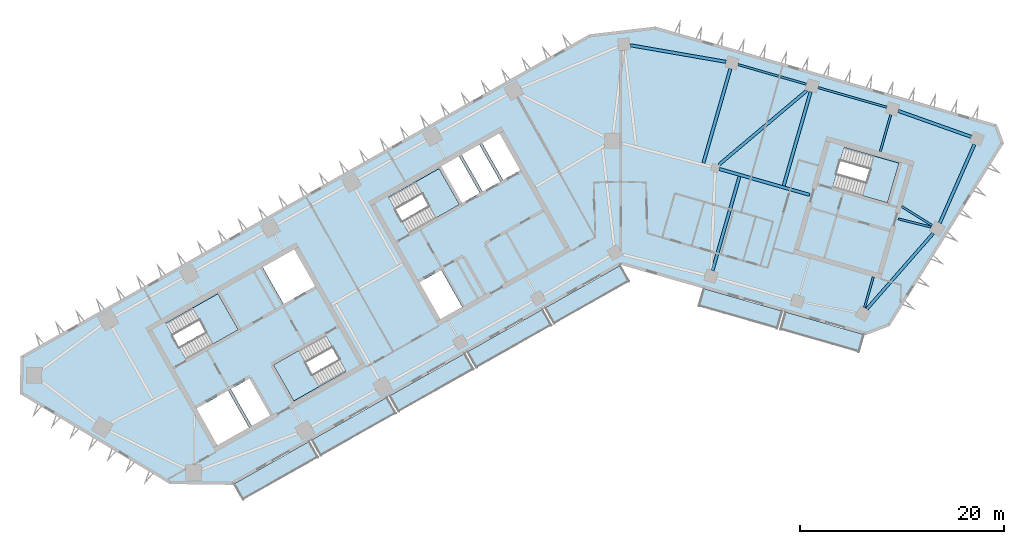
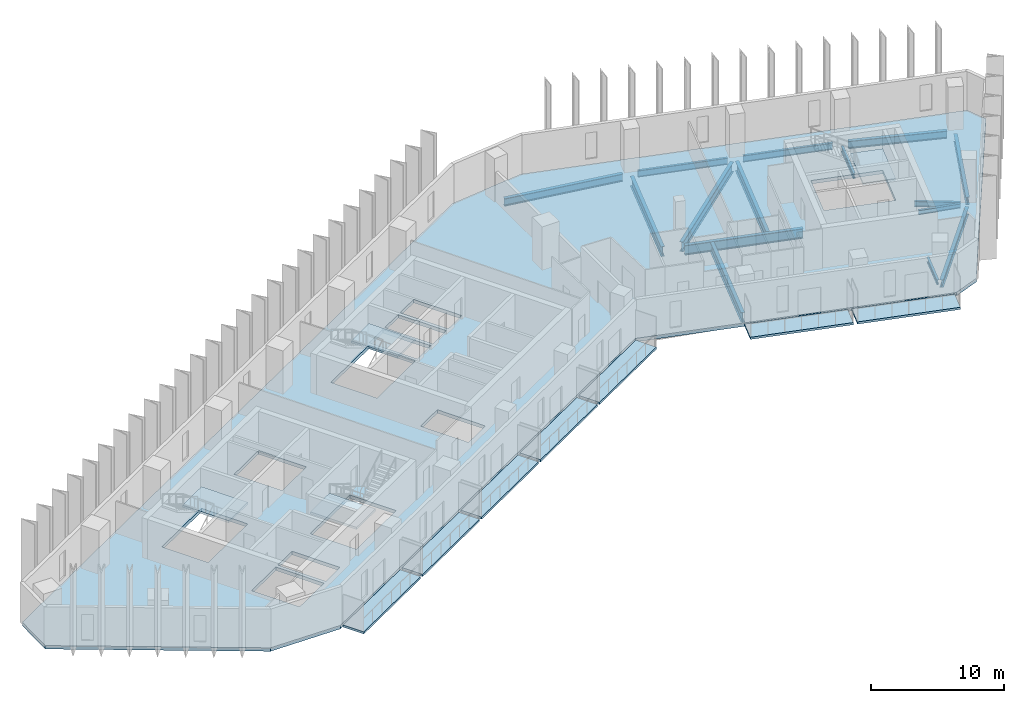
# One storey, part 2 of 10: 15 beams, 12 slabs, 4 elements without a shape of their own.
"""IFC4 building model written with IfcOpenShell, lengths in metres."""

from ifc_helpers import new_model, si_unit, direction, frame, origin, origin_2d, place, context, subcontext, project, spatial, polyline, i_section, outline, extrude, material, layer, layer_set, material_profile, profile_set, type_object, element, aggregate, save


model = new_model("IFC4")

# Units and contexts
model_context = context("Model", 3, precision=1e-05, world=origin(), true_north=direction((0.0, 1.0)))
body_context = subcontext(model_context, "Body", "Model", "MODEL_VIEW")
ifc_project = project(units=[si_unit("LENGTHUNIT", "METRE"), si_unit("AREAUNIT", "SQUARE_METRE"), si_unit("VOLUMEUNIT", "CUBIC_METRE"), si_unit("PLANEANGLEUNIT", "RADIAN"), si_unit("MASSUNIT", "GRAM", prefix="KILO")], contexts=[model_context])

# Site, building, storey
site_placement = place(None, origin())
site = spatial("IfcSite", under=ifc_project, at=site_placement, CompositionType="ELEMENT")
building_placement = place(site_placement, origin())
building = spatial("IfcBuilding", under=site, at=building_placement, Name="Binnacle Exchange Tower", CompositionType="ELEMENT")
storey_placement = place(building_placement, frame((0.0, 0.0, 162.89990234375)))
storey = spatial("IfcBuildingStorey", under=building, at=storey_placement, Name="L34", CompositionType="ELEMENT", Elevation=162.89990234375)

# Beams
ifc_material_1 = material(Name="Steel S355 (SHN355)", Category="steel")
ifc_material_profile_1 = material_profile(ifc_material_1, i_section(OverallWidth=0.201904296875, OverallDepth=0.612060546875, WebThickness=0.012939453125, FlangeThickness=0.02294921875, FilletRadius=0.02197265625, at=origin_2d()), Name="H 612x202x13x23")
ifc_profile_set_1 = profile_set([ifc_material_profile_1], Name="Steel S355 (SHN355)")
beam_type_1 = type_object("IfcBeamType", Name="Edge girder H 612x202x13x23 Steel S355 (SHN355)", PredefinedType="SPANDREL", material=ifc_profile_set_1)
for number, where, z_axis, x_axis, name in (
    (1, (18.16943359375, 65.54150390625, -0.6259765625), (-0.961255274252, 0.275659749916, 0.0), (-0.275659749916, -0.961255274252, 0.0), "S:BM:edge:L34:029"),
    (2, (26.02587890625, 63.288818359375, -0.6259765625), (-0.961267211469, 0.275618120149, 0.0), (-0.275618120149, -0.961267211469, 0.0), "S:BM:edge:L34:031"),
):
    element("IfcBeam", number, at=place(storey_placement, frame(where, z_axis=z_axis, x_axis=x_axis)), inside=storey, type_object=beam_type_1, Name=name, PredefinedType="SPANDREL", context=body_context, shape_type="SweptSolid", body=[
        extrude(i_section(OverallWidth=0.201904296875, OverallDepth=0.612060546875, WebThickness=0.012939453125, FlangeThickness=0.02294921875, FilletRadius=0.02197265625, at=origin_2d()), origin(), (0.0, 0.0, 1.0), 6.972900390625),
    ])
ifc_material_profile_2 = material_profile(ifc_material_1, i_section(OverallWidth=0.300048828125, OverallDepth=0.699951171875, WebThickness=0.012939453125, FlangeThickness=0.02392578125, FilletRadius=0.028076171875, at=origin_2d()), Name="H 700x300x13x24")
ifc_profile_set_2 = profile_set([ifc_material_profile_2], Name="Steel S355 (SHN355)")
beam_type_2 = type_object("IfcBeamType", Name="Edge girder H 700x300x13x24 Steel S355 (SHN355)", PredefinedType="SPANDREL", material=ifc_profile_set_2)
beam_1_placement = place(storey_placement, frame((31.234130859375, 51.94091796875, -0.669921875), z_axis=(0.403470856186, 0.914992496258, 0.0), x_axis=(-0.914992496258, 0.403470856186, 0.0)))
element("IfcBeam", 3, at=beam_1_placement, inside=storey, type_object=beam_type_2, Name="S:BM:edge:L34:032", PredefinedType="SPANDREL", context=body_context, shape_type="SweptSolid", body=[
    extrude(i_section(OverallWidth=0.300048828125, OverallDepth=0.699951171875, WebThickness=0.012939453125, FlangeThickness=0.02392578125, FilletRadius=0.028076171875, at=origin_2d()), origin(), (0.0, 0.0, 1.0), 8.412109375),
])
beam_2_placement = place(storey_placement, frame((34.30419921875, 60.38818359375, -0.669921875), z_axis=(-0.942327723458, 0.334691591771, 0.0), x_axis=(-0.334691591771, -0.942327723458, 0.0)))
element("IfcBeam", 4, at=beam_2_placement, inside=storey, type_object=beam_type_2, Name="S:BM:edge:L34:033", PredefinedType="SPANDREL", context=body_context, shape_type="SweptSolid", body=[
    extrude(i_section(OverallWidth=0.300048828125, OverallDepth=0.699951171875, WebThickness=0.012939453125, FlangeThickness=0.02392578125, FilletRadius=0.028076171875, at=origin_2d()), origin(), (0.0, 0.0, 1.0), 7.57177734375),
])
ifc_material_profile_3 = material_profile(ifc_material_1, i_section(OverallWidth=0.302001953125, OverallDepth=0.7080078125, WebThickness=0.014892578125, FlangeThickness=0.028076171875, FilletRadius=0.028076171875, at=origin_2d()), Name="H 708x302x15x28")
ifc_profile_set_3 = profile_set([ifc_material_profile_3], Name="Steel S355 (SHN355)")
beam_type_3 = type_object("IfcBeamType", Name="Edge girder H 708x302x15x28 Steel S355 (SHN355)", PredefinedType="SPANDREL", material=ifc_profile_set_3)
beam_3_placement = place(storey_placement, frame((10.29541015625, 67.73193359375, -0.673828125), z_axis=(-0.985309861954, 0.170776098841, 0.0), x_axis=(-0.170776098841, -0.985309861954, 0.0)))
element("IfcBeam", 5, at=beam_3_placement, inside=storey, type_object=beam_type_3, Name="S:BM:edge:L34:027", PredefinedType="SPANDREL", context=body_context, shape_type="SweptSolid", body=[
    extrude(i_section(OverallWidth=0.302001953125, OverallDepth=0.7080078125, WebThickness=0.014892578125, FlangeThickness=0.028076171875, FilletRadius=0.028076171875, at=origin_2d()), origin(), (0.0, 0.0, 1.0), 9.518310546875),
])
beam_4_placement = place(storey_placement, frame((24.09326171875, 43.5224609375, -0.673828125), z_axis=(0.659335841855, 0.751848553663, 0.0), x_axis=(-0.751848553663, 0.659335841855, 0.0)))
element("IfcBeam", 6, at=beam_4_placement, inside=storey, type_object=beam_type_3, Name="S:BM:edge:L34:030", PredefinedType="SPANDREL", context=body_context, shape_type="SweptSolid", body=[
    extrude(i_section(OverallWidth=0.302001953125, OverallDepth=0.7080078125, WebThickness=0.014892578125, FlangeThickness=0.028076171875, FilletRadius=0.028076171875, at=origin_2d()), origin(), (0.0, 0.0, 1.0), 9.851318359375),
])
ifc_material_profile_4 = material_profile(ifc_material_1, i_section(OverallWidth=0.199951171875, OverallDepth=0.449951171875, WebThickness=0.009033203125, FlangeThickness=0.013916015625, FilletRadius=0.01806640625, at=origin_2d()), Name="H 450x200x9x14")
ifc_profile_set_4 = profile_set([ifc_material_profile_4], Name="Steel S355 (SHN355)")
beam_type_4 = type_object("IfcBeamType", Name="Floor beam H 450x200x9x14 Steel S355 (SHN355)", PredefinedType="BEAM", material=ifc_profile_set_4)
beam_5_placement = place(storey_placement, frame((23.860595703125, 43.6572265625, -0.544921875), z_axis=(0.275637043779, 0.961261785414, 0.0), x_axis=(-0.961261785414, 0.275637043779, 0.0)))
element("IfcBeam", 7, at=beam_5_placement, inside=storey, type_object=beam_type_4, Name="S:BM:cross:L34:051", PredefinedType="BEAM", context=body_context, shape_type="SweptSolid", body=[
    extrude(i_section(OverallWidth=0.199951171875, OverallDepth=0.449951171875, WebThickness=0.009033203125, FlangeThickness=0.013916015625, FilletRadius=0.01806640625, at=origin_2d()), origin(), (0.0, 0.0, 1.0), 3.1328125),
])
ifc_material_profile_5 = material_profile(ifc_material_1, i_section(OverallWidth=0.199951171875, OverallDepth=0.5, WebThickness=0.010009765625, FlangeThickness=0.01611328125, FilletRadius=0.02001953125, at=origin_2d()), Name="H 500x200x10x16")
ifc_profile_set_5 = profile_set([ifc_material_profile_5], Name="Steel S355 (SHN355)")
beam_type_5 = type_object("IfcBeamType", Name="Floor beam H 500x200x10x16 Steel S355 (SHN355)", PredefinedType="BEAM", material=ifc_profile_set_5)
beam_6_placement = place(storey_placement, frame((26.437255859375, 62.546630859375, -0.56982421875), z_axis=(-0.275644746045, -0.961259576794, 0.0), x_axis=(0.961259576794, -0.275644746045, 0.0)))
element("IfcBeam", 8, at=beam_6_placement, inside=storey, type_object=beam_type_5, Name="S:BM:cross:L34:052", PredefinedType="BEAM", context=body_context, shape_type="SweptSolid", body=[
    extrude(i_section(OverallWidth=0.199951171875, OverallDepth=0.5, WebThickness=0.010009765625, FlangeThickness=0.01611328125, FilletRadius=0.02001953125, at=origin_2d()), origin(), (0.0, 0.0, 1.0), 3.735107421875),
])
beam_7_placement = place(storey_placement, frame((30.480712890625, 51.704345703125, -0.56982421875), z_axis=(-0.848084620748, 0.529860808186, 0.0), x_axis=(-0.529860808186, -0.848084620748, 0.0)))
element("IfcBeam", 9, at=beam_7_placement, inside=storey, type_object=beam_type_5, Name="S:BM:cross:L34:053", PredefinedType="BEAM", context=body_context, shape_type="SweptSolid", body=[
    extrude(i_section(OverallWidth=0.199951171875, OverallDepth=0.5, WebThickness=0.010009765625, FlangeThickness=0.01611328125, FilletRadius=0.02001953125, at=origin_2d()), origin(), (0.0, 0.0, 1.0), 3.495361328125),
])
ifc_material_profile_6 = material_profile(ifc_material_1, i_section(OverallWidth=0.302001953125, OverallDepth=0.912109375, WebThickness=0.01806640625, FlangeThickness=0.033935546875, FilletRadius=0.028076171875, at=origin_2d()), Name="H 912x302x18x34")
ifc_profile_set_6 = profile_set([ifc_material_profile_6], Name="Steel S355 (SHN355)")
beam_type_6 = type_object("IfcBeamType", Name="Floor beam H 912x302x18x34 Steel S355 (SHN355)", PredefinedType="BEAM", material=ifc_profile_set_6)
beam_8_placement = place(storey_placement, frame((8.974853515625, 47.299072265625, -0.77587890625), z_axis=(0.275642748758, 0.961260149521, 0.0), x_axis=(-0.961260149521, 0.275642748758, 0.0)))
element("IfcBeam", 10, at=beam_8_placement, inside=storey, type_object=beam_type_6, Name="S:BM:cross:L34:047", PredefinedType="BEAM", context=body_context, shape_type="SweptSolid", body=[
    extrude(i_section(OverallWidth=0.302001953125, OverallDepth=0.912109375, WebThickness=0.01806640625, FlangeThickness=0.033935546875, FilletRadius=0.028076171875, at=origin_2d()), origin(), (0.0, 0.0, 1.0), 9.585205078125),
])
beam_9_placement = place(storey_placement, frame((10.724609375, 67.05224609375, -0.77587890625), z_axis=(-0.275623285325, -0.961265730475, 0.0), x_axis=(0.961265730475, -0.275623285325, 0.0)))
element("IfcBeam", 11, at=beam_9_placement, inside=storey, type_object=beam_type_6, Name="S:BM:cross:L34:048", PredefinedType="BEAM", context=body_context, shape_type="SweptSolid", body=[
    extrude(i_section(OverallWidth=0.302001953125, OverallDepth=0.912109375, WebThickness=0.01806640625, FlangeThickness=0.033935546875, FilletRadius=0.028076171875, at=origin_2d()), origin(), (0.0, 0.0, 1.0), 9.61328125),
])
beam_10_placement = place(storey_placement, frame((18.580810546875, 64.79931640625, -0.77587890625), z_axis=(-0.275625961623, -0.961264963098, 0.0), x_axis=(0.961264963098, -0.275625961623, 0.0)))
element("IfcBeam", 12, at=beam_10_placement, inside=storey, type_object=beam_type_6, Name="S:BM:cross:L34:050", PredefinedType="BEAM", context=body_context, shape_type="SweptSolid", body=[
    extrude(i_section(OverallWidth=0.302001953125, OverallDepth=0.912109375, WebThickness=0.01806640625, FlangeThickness=0.033935546875, FilletRadius=0.028076171875, at=origin_2d()), origin(), (0.0, 0.0, 1.0), 9.5849609375),
])
ifc_material_profile_7 = material_profile(ifc_material_1, i_section(OverallWidth=0.199951171875, OverallDepth=0.39990234375, WebThickness=0.008056640625, FlangeThickness=0.012939453125, FilletRadius=0.01611328125, at=origin_2d()), Name="H 400x200x8x13")
ifc_profile_set_7 = profile_set([ifc_material_profile_7], Name="Steel S355 (SHN355)")
beam_type_7 = type_object("IfcBeamType", Name="Spine girder H 400x200x8x13 Steel S355 (SHN355)", PredefinedType="BEAM", material=ifc_profile_set_7)
beam_11_placement = place(storey_placement, frame((27.17138671875, 52.35400390625, -0.52001953125), z_axis=(0.969342999561, -0.245711516217, 0.0), x_axis=(0.245711516217, 0.969342999561, 0.0)))
element("IfcBeam", 13, at=beam_11_placement, inside=storey, type_object=beam_type_7, Name="S:BM:spine:L34:010", PredefinedType="BEAM", context=body_context, shape_type="SweptSolid", body=[
    extrude(i_section(OverallWidth=0.199951171875, OverallDepth=0.39990234375, WebThickness=0.008056640625, FlangeThickness=0.012939453125, FilletRadius=0.01611328125, at=origin_2d()), origin(), (0.0, 0.0, 1.0), 3.30859375),
])
ifc_material_profile_8 = material_profile(ifc_material_1, i_section(OverallWidth=0.302001953125, OverallDepth=0.912109375, WebThickness=0.01806640625, FlangeThickness=0.033935546875, FilletRadius=0.028076171875, at=origin_2d()), Name="H 912x302x18x34")
ifc_profile_set_8 = profile_set([ifc_material_profile_8], Name="Steel S355 (SHN355)")
beam_type_8 = type_object("IfcBeamType", Name="Spine girder H 912x302x18x34 Steel S355 (SHN355)", PredefinedType="BEAM", material=ifc_profile_set_8)
beam_12_placement = place(storey_placement, frame((9.60888671875, 57.660888671875, -0.77587890625), z_axis=(0.764057522707, 0.645148124073, 0.0), x_axis=(-0.645148124073, 0.764057522707, 0.0)))
element("IfcBeam", 14, at=beam_12_placement, inside=storey, type_object=beam_type_8, Name="S:BM:spine:L34:008", PredefinedType="BEAM", context=body_context, shape_type="SweptSolid", body=[
    extrude(i_section(OverallWidth=0.302001953125, OverallDepth=0.912109375, WebThickness=0.01806640625, FlangeThickness=0.033935546875, FilletRadius=0.028076171875, at=origin_2d()), origin(), (0.0, 0.0, 1.0), 11.237060546875),
])
beam_13_placement = place(storey_placement, frame((9.62548828125, 57.239990234375, -0.77587890625), z_axis=(0.961259511383, -0.275644974153, 0.0), x_axis=(0.275644974153, 0.961259511383, 0.0)))
element("IfcBeam", 15, at=beam_13_placement, inside=storey, type_object=beam_type_8, Name="S:BM:spine:L34:009", PredefinedType="BEAM", context=body_context, shape_type="SweptSolid", body=[
    extrude(i_section(OverallWidth=0.302001953125, OverallDepth=0.912109375, WebThickness=0.01806640625, FlangeThickness=0.033935546875, FilletRadius=0.028076171875, at=origin_2d()), origin(), (0.0, 0.0, 1.0), 9.213134765625),
])

# Slabs
ifc_material_2 = material(Name="Concrete C35/45", Category="concrete")
ifc_layer_1 = layer(ifc_material_2, 0.199951171875)
ifc_layer_set_1 = layer_set([ifc_layer_1], Name="BALCONY SLAB 200")
slab_type_1 = type_object("IfcSlabType", Name="BALCONY SLAB 200", PredefinedType="FLOOR", material=ifc_layer_set_1)
slab_1_placement = place(storey_placement, frame((0.0, 0.0, -0.199951171875)))
element("IfcSlab", 16, at=slab_1_placement, inside=storey, type_object=slab_type_1, Name="Balcony BA-G01-00 L34", PredefinedType="FLOOR", context=body_context, shape_type="SweptSolid", body=[
    extrude(outline(polyline([(-37.893310546875, 26.388671875), (-30.534912109375, 30.5517578125), (-29.648681640625, 28.985107421875), (-37.007080078125, 24.822021484375), (-37.893310546875, 26.388671875)])), origin(), (0.0, 0.0, 1.0), 0.199951171875),
])
slab_2_placement = place(storey_placement, frame((0.0, 0.0, -0.199951171875)))
element("IfcSlab", 17, at=slab_2_placement, inside=storey, type_object=slab_type_1, Name="Balcony BA-G01-01 L34", PredefinedType="FLOOR", context=body_context, shape_type="SweptSolid", body=[
    extrude(outline(polyline([(-30.27392578125, 30.699462890625), (-22.915283203125, 34.86279296875), (-22.029052734375, 33.296142578125), (-29.387451171875, 29.1328125), (-30.27392578125, 30.699462890625)])), origin(), (0.0, 0.0, 1.0), 0.199951171875),
])
slab_3_placement = place(storey_placement, frame((0.0, 0.0, -0.199951171875)))
element("IfcSlab", 18, at=slab_3_placement, inside=storey, type_object=slab_type_1, Name="Balcony BA-G01-02 L34", PredefinedType="FLOOR", context=body_context, shape_type="SweptSolid", body=[
    extrude(outline(polyline([(-22.654296875, 35.010498046875), (-15.2958984375, 39.173583984375), (-14.409423828125, 37.607177734375), (-21.767822265625, 33.44384765625), (-22.654296875, 35.010498046875)])), origin(), (0.0, 0.0, 1.0), 0.199951171875),
])
slab_4_placement = place(storey_placement, frame((0.0, 0.0, -0.199951171875)))
element("IfcSlab", 19, at=slab_4_placement, inside=storey, type_object=slab_type_1, Name="Balcony BA-G01-03 L34", PredefinedType="FLOOR", context=body_context, shape_type="SweptSolid", body=[
    extrude(outline(polyline([(-15.03466796875, 39.3212890625), (-7.67626953125, 43.484619140625), (-6.789794921875, 41.91796875), (-14.148193359375, 37.7548828125), (-15.03466796875, 39.3212890625)])), origin(), (0.0, 0.0, 1.0), 0.199951171875),
])
slab_5_placement = place(storey_placement, frame((0.0, 0.0, -0.199951171875)))
element("IfcSlab", 20, at=slab_5_placement, inside=storey, type_object=slab_type_1, Name="Balcony BA-G01-04 L34", PredefinedType="FLOOR", context=body_context, shape_type="SweptSolid", body=[
    extrude(outline(polyline([(-7.4150390625, 43.63232421875), (-0.056640625, 47.795654296875), (0.82958984375, 46.22900390625), (-6.52880859375, 42.06591796875), (-7.4150390625, 43.63232421875)])), origin(), (0.0, 0.0, 1.0), 0.199951171875),
])
slab_6_placement = place(storey_placement, frame((0.0, 0.0, -0.199951171875)))
element("IfcSlab", 21, at=slab_6_placement, inside=storey, type_object=slab_type_1, Name="Balcony BA-G02-01 L34", PredefinedType="FLOOR", context=body_context, shape_type="SweptSolid", body=[
    extrude(outline(polyline([(8.100830078125, 45.52099609375), (15.810546875, 43.310302734375), (15.314453125, 41.580078125), (7.604736328125, 43.790771484375), (8.100830078125, 45.52099609375)])), origin(), (0.0, 0.0, 1.0), 0.199951171875),
])
slab_7_placement = place(storey_placement, frame((0.0, 0.0, -0.199951171875)))
element("IfcSlab", 22, at=slab_7_placement, inside=storey, type_object=slab_type_1, Name="Balcony BA-G02-02 L34", PredefinedType="FLOOR", context=body_context, shape_type="SweptSolid", body=[
    extrude(outline(polyline([(16.09912109375, 43.2275390625), (23.80859375, 41.016845703125), (23.3125, 39.28662109375), (15.602783203125, 41.497314453125), (16.09912109375, 43.2275390625)])), origin(), (0.0, 0.0, 1.0), 0.199951171875),
])
ifc_layer_2 = layer(ifc_material_2, 0.320068359375)
ifc_layer_set_2 = layer_set([ifc_layer_2], Name="Floor slab 320 Concrete C35/45")
slab_type_2 = type_object("IfcSlabType", Name="Floor slab 320 Concrete C35/45", PredefinedType="FLOOR", material=ifc_layer_set_2)
slab_8_placement = place(storey_placement, frame((0.0, 0.0, -0.31982421875)))
element("IfcSlab", 23, at=slab_8_placement, inside=storey, type_object=slab_type_2, Name="S:SL:L34:01", PredefinedType="FLOOR", context=body_context, shape_type="SweptSolid", body=[
    extrude(outline(polyline([(-58.716064453125, 35.280029296875), (-58.669921875, 38.80615234375), (-3.046142578125, 70.276611328125), (3.364501953125, 71.035400390625), (36.71240234375, 61.472900390625), (37.359375, 59.787353515625), (26.23095703125, 41.978515625), (23.994140625, 41.119873046875), (0.0, 48.0), (-38.097900390625, 26.4453125), (-44.14404296875, 26.5244140625), (-58.716064453125, 35.280029296875)]), holes=[polyline([(-38.4794921875, 35.529296875), (-41.61279296875, 33.756591796875), (-39.544677734375, 30.10107421875), (-36.411376953125, 31.873779296875), (-38.4794921875, 35.529296875)]), polyline([(-36.390625, 36.711181640625), (-38.21826171875, 35.677001953125), (-36.150146484375, 32.021484375), (-34.322509765625, 33.0556640625), (-36.390625, 36.711181640625)]), polyline([(-32.04638671875, 34.515625), (-26.9287109375, 37.4111328125), (-28.923095703125, 40.93603515625), (-34.040771484375, 38.04052734375), (-32.04638671875, 34.515625)]), polyline([(-37.486572265625, 41.4912109375), (-39.480712890625, 45.01611328125), (-44.598388671875, 42.12060546875), (-42.604248046875, 38.595703125), (-37.486572265625, 41.4912109375)]), polyline([(-29.914306640625, 45.775390625), (-31.982666015625, 49.430908203125), (-35.115966796875, 47.657958984375), (-33.047607421875, 44.00244140625), (-29.914306640625, 45.775390625)]), polyline([(-17.81689453125, 57.27294921875), (-22.760498046875, 54.47607421875), (-20.76611328125, 50.950927734375), (-15.822509765625, 53.748046875), (-17.81689453125, 57.27294921875)]), polyline([(-15.53076171875, 43.6875), (-17.598876953125, 47.343017578125), (-19.77490234375, 46.11181640625), (-17.70654296875, 42.456298828125), (-15.53076171875, 43.6875)]), polyline([(-13.82080078125, 54.880615234375), (-15.888916015625, 58.5361328125), (-17.629638671875, 57.55126953125), (-15.5615234375, 53.895751953125), (-13.82080078125, 54.880615234375)]), polyline([(27.227783203125, 57.810302734375), (21.864013671875, 59.348388671875), (20.74755859375, 55.455078125), (26.111328125, 53.9169921875), (27.227783203125, 57.810302734375)]), polyline([(-11.819091796875, 56.01318359375), (-13.88720703125, 59.668701171875), (-15.6279296875, 58.683837890625), (-13.559814453125, 55.0283203125), (-11.819091796875, 56.01318359375)]), polyline([(-9.817138671875, 57.145751953125), (-11.885498046875, 60.80126953125), (-13.626220703125, 59.81640625), (-11.557861328125, 56.160888671875), (-9.817138671875, 57.145751953125)])]), origin(), (0.0, 0.0, 1.0), 0.31982421875),
])

# Stair, slab
stair_type = type_object("IfcStairType", Name="STAIR 24 RISERS 167", PredefinedType="HALF_TURN_STAIR", material=ifc_material_2)
stair_1_placement = place(storey_placement, origin())
stair_1 = element("IfcStair", 24, at=stair_1_placement, inside=storey, type_object=stair_type, Name="L34 Escape stair A1", PredefinedType="HALF_TURN_STAIR")
ifc_layer_3 = layer(ifc_material_2, 0.199951171875)
ifc_layer_set_3 = layer_set([ifc_layer_3], Name="STAIR LANDING 200")
slab_type_3 = type_object("IfcSlabType", Name="STAIR LANDING 200", PredefinedType="LANDING", material=ifc_layer_set_3)
slab_9_placement = place(storey_placement, frame((0.0, 0.0, 1.800048828125)))
slab_9 = element("IfcSlab", 25, at=slab_9_placement, type_object=slab_type_3, Name="STA1 landing 1", PredefinedType="LANDING", context=body_context, shape_type="SweptSolid", body=[
    extrude(outline(polyline([(-39.958251953125, 40.0927734375), (-37.486572265625, 41.4912109375), (-39.48095703125, 45.01611328125), (-41.95263671875, 43.61767578125), (-39.958251953125, 40.0927734375)])), origin(), (0.0, 0.0, 1.0), 0.199951171875),
])
aggregate(stair_1, [slab_9])

stair_2_placement = place(storey_placement, origin())
stair_2 = element("IfcStair", 26, at=stair_2_placement, inside=storey, type_object=stair_type, Name="L34 Escape stair A2", PredefinedType="HALF_TURN_STAIR")
slab_10_placement = place(storey_placement, frame((0.0, 0.0, 1.800048828125)))
slab_10 = element("IfcSlab", 27, at=slab_10_placement, type_object=slab_type_3, Name="STA2 landing 1", PredefinedType="LANDING", context=body_context, shape_type="SweptSolid", body=[
    extrude(outline(polyline([(-31.56884765625, 39.439208984375), (-34.040771484375, 38.04052734375), (-32.04638671875, 34.515625), (-29.574462890625, 35.9140625), (-31.56884765625, 39.439208984375)])), origin(), (0.0, 0.0, 1.0), 0.199951171875),
])
aggregate(stair_2, [slab_10])

stair_3_placement = place(storey_placement, origin())
stair_3 = element("IfcStair", 28, at=stair_3_placement, inside=storey, type_object=stair_type, Name="L34 Escape stair C1", PredefinedType="HALF_TURN_STAIR")
slab_11_placement = place(storey_placement, frame((0.0, 0.0, 1.800048828125)))
slab_11 = element("IfcSlab", 29, at=slab_11_placement, type_object=slab_type_3, Name="STC1 landing 1", PredefinedType="LANDING", context=body_context, shape_type="SweptSolid", body=[
    extrude(outline(polyline([(-18.120361328125, 52.447998046875), (-15.822509765625, 53.748046875), (-17.81689453125, 57.27294921875), (-20.11474609375, 55.972900390625), (-18.120361328125, 52.447998046875)])), origin(), (0.0, 0.0, 1.0), 0.199951171875),
])
aggregate(stair_3, [slab_11])

stair_4_placement = place(storey_placement, origin())
stair_4 = element("IfcStair", 30, at=stair_4_placement, inside=storey, type_object=stair_type, Name="L34 Escape stair D1", PredefinedType="HALF_TURN_STAIR")
slab_12_placement = place(storey_placement, frame((0.0, 0.0, 1.800048828125)))
slab_12 = element("IfcSlab", 31, at=slab_12_placement, type_object=slab_type_3, Name="STD1 landing 1", PredefinedType="LANDING", context=body_context, shape_type="SweptSolid", body=[
    extrude(outline(polyline([(23.669677734375, 54.6171875), (26.111328125, 53.917236328125), (27.227783203125, 57.810302734375), (24.7861328125, 58.51025390625), (23.669677734375, 54.6171875)])), origin(), (0.0, 0.0, 1.0), 0.199951171875),
])
aggregate(stair_4, [slab_12])

save(model, "model.ifc")
